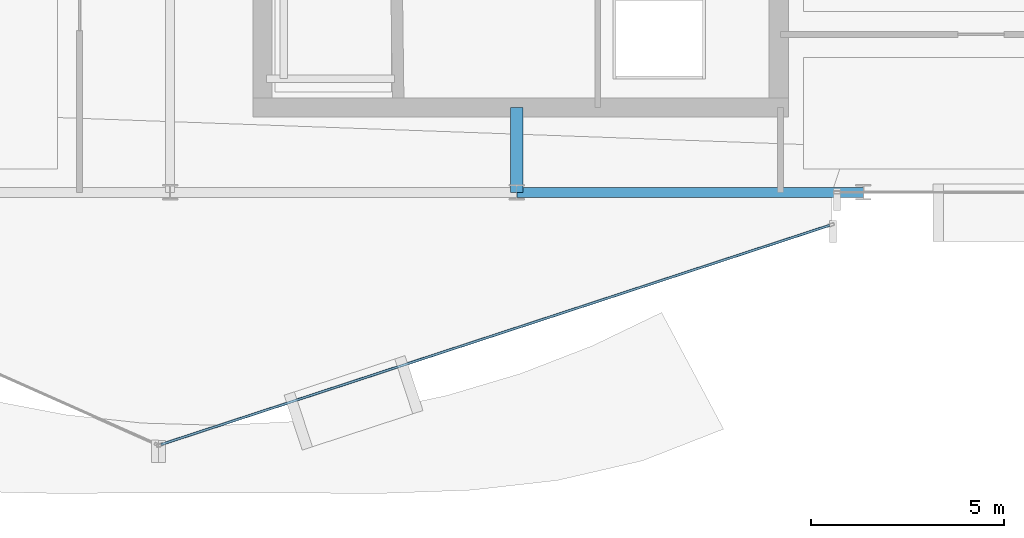
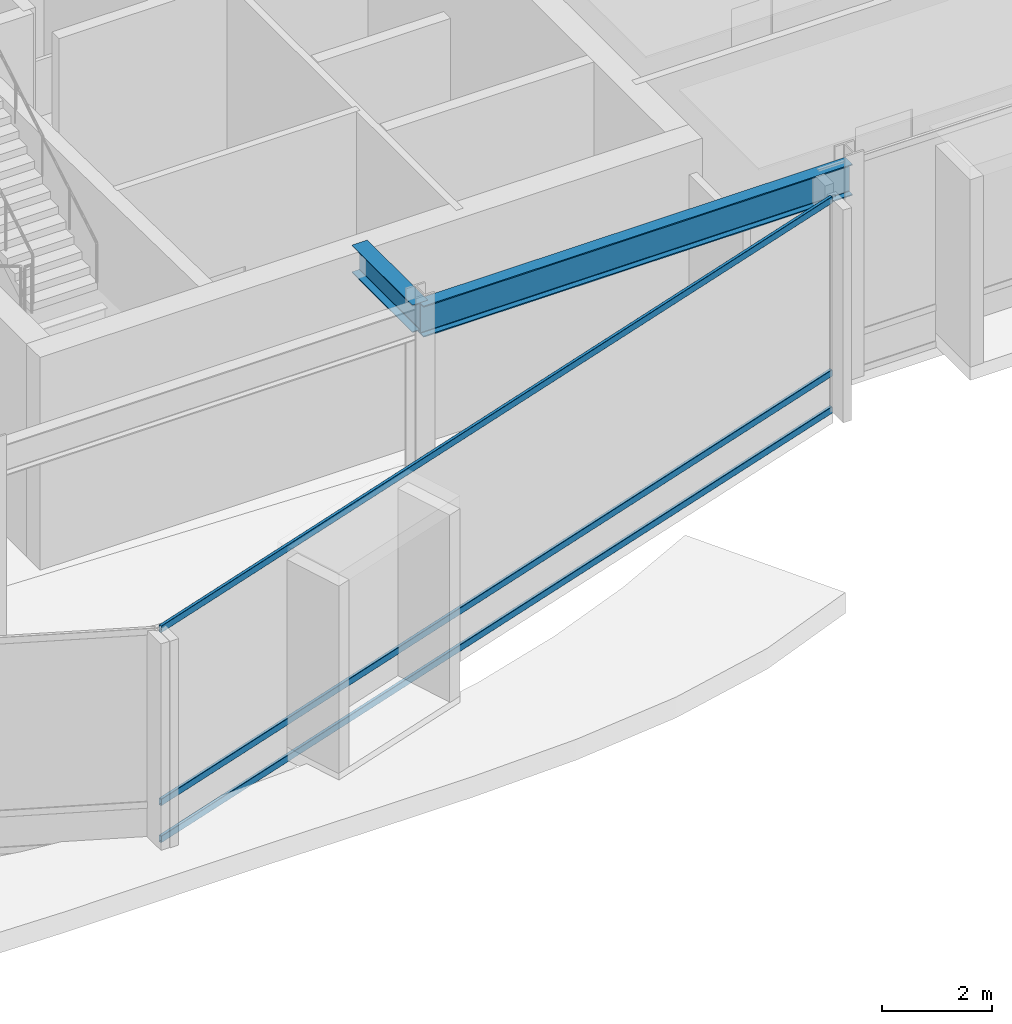
# One storey, part 9 of 28: 3 members, 2 beams, 1 element without a shape of its own.
"""IFC4 building model written with IfcOpenShell, lengths in metres."""

from ifc_helpers import new_model, si_unit, direction, frame, origin, origin_2d, place, context, subcontext, project, spatial, hollow_rectangle, i_section, extrude, material, layer, layer_set, material_profile, profile_set, type_object, element, aggregate, save


model = new_model("IFC4")

# Units and contexts
model_context = context("Model", 3, precision=1e-05, world=origin(), true_north=direction((0.0, 1.0)))
body_context = subcontext(model_context, "Body", "Model", "MODEL_VIEW")
ifc_project = project(units=[si_unit("LENGTHUNIT", "METRE"), si_unit("AREAUNIT", "SQUARE_METRE"), si_unit("VOLUMEUNIT", "CUBIC_METRE"), si_unit("PLANEANGLEUNIT", "RADIAN"), si_unit("MASSUNIT", "GRAM", prefix="KILO")], contexts=[model_context])

# Site, building, storey
site_placement = place(None, origin())
site = spatial("IfcSite", under=ifc_project, at=site_placement, CompositionType="ELEMENT")
building_placement = place(site_placement, origin())
building = spatial("IfcBuilding", under=site, at=building_placement, Name="Solvaryn Broadcast Tower", CompositionType="ELEMENT")
storey_placement = place(building_placement, frame((0.0, 0.0, 201.199951171875)))
storey = spatial("IfcBuildingStorey", under=building, at=storey_placement, Name="L50", CompositionType="ELEMENT", Elevation=201.199951171875)

# Beams
ifc_material_1 = material(Name="Steel ASTM A992 Grade 50", Category="steel")
ifc_material_profile_1 = material_profile(ifc_material_1, i_section(OverallWidth=0.323974609375, OverallDepth=0.611083984375, WebThickness=0.0126953125, FlangeThickness=0.01904296875, FilletRadius=0.014892578125, at=origin_2d()))
ifc_profile_set_1 = profile_set([ifc_material_profile_1], Name="Steel ASTM A992 Grade 50")
beam_type_1 = type_object("IfcBeamType", Name="BM-B1-W24X104", PredefinedType="BEAM", material=ifc_profile_set_1)
beam_1_placement = place(storey_placement, frame((36.0, 9.0, 4.41455078125), z_axis=(0.0, 1.0, 0.0), x_axis=(-1.0, 0.0, 0.0)))
element("IfcBeam", 1, at=beam_1_placement, inside=storey, type_object=beam_type_1, Name="L50 Core Tie Beam CTE1", PredefinedType="BEAM", context=body_context, shape_type="SweptSolid", body=[
    extrude(i_section(OverallWidth=0.323974609375, OverallDepth=0.611083984375, WebThickness=0.0126953125, FlangeThickness=0.01904296875, FilletRadius=0.014892578125, at=origin_2d()), origin(), (0.0, 0.0, 1.0), 2.199951171875),
])
ifc_material_2 = material(Name="Steel ASTM A992 Grade 50", Category="steel")
ifc_material_profile_2 = material_profile(ifc_material_2, i_section(OverallWidth=0.256103515625, OverallDepth=0.693115234375, WebThickness=0.014404296875, FlangeThickness=0.023681640625, FilletRadius=0.01611328125, at=origin_2d()))
ifc_profile_set_2 = profile_set([ifc_material_profile_2], Name="Steel ASTM A992 Grade 50")
beam_type_2 = type_object("IfcBeamType", Name="BM-SP3-W27X114", PredefinedType="USERDEFINED", material=ifc_profile_set_2)
beam_2_placement = place(storey_placement, frame((36.0, 9.0, 4.37353515625), z_axis=(1.0, 0.0, 0.0), x_axis=(0.0, 1.0, 0.0)))
element("IfcBeam", 2, at=beam_2_placement, inside=storey, type_object=beam_type_2, Name="L50 Spandrel Beam X (36-45 @ Y=9)", ObjectType="SPANDREL", PredefinedType="USERDEFINED", context=body_context, shape_type="SweptSolid", body=[
    extrude(i_section(OverallWidth=0.256103515625, OverallDepth=0.693115234375, WebThickness=0.014404296875, FlangeThickness=0.023681640625, FilletRadius=0.01611328125, at=origin_2d()), origin(), (0.0, 0.0, 1.0), 9.0),
])

# Curtain wall, members
ifc_material_3 = material(Name="Aluminium and Terracotta Unitised Curtain Wall", Category="masonry")
ifc_layer = layer(ifc_material_3, 0.199951171875)
ifc_layer_set = layer_set([ifc_layer], Name="CW-SYS2-LOWMID")
curtain_wall_type = type_object("IfcCurtainWallType", Name="CW-SYS2-LOWMID", PredefinedType="NOTDEFINED", material=ifc_layer_set)
curtain_wall_placement = place(storey_placement, origin())
curtain_wall = element("IfcCurtainWall", 3, at=curtain_wall_placement, inside=storey, type_object=curtain_wall_type, Name="L50 Curtain Wall DR4", PredefinedType="NOTDEFINED")
ifc_material_4 = material(Name="Anodised Aluminium 6063-T6", Category="aluminium")
ifc_material_profile_3 = material_profile(ifc_material_4, hollow_rectangle(XDim=0.06494140625, YDim=0.14990234375, WallThickness=0.00390625, InnerFilletRadius=0.00390625, OuterFilletRadius=0.008056640625, at=origin_2d()))
ifc_profile_set_3 = profile_set([ifc_material_profile_3], Name="Anodised Aluminium 6063-T6")
member_type = type_object("IfcMemberType", Name="CW-TRN-150", PredefinedType="USERDEFINED", material=ifc_profile_set_3)
member_1_placement = place(storey_placement, frame((26.762939453125, 2.45166015625, 0.030029296875), z_axis=(0.950227141586, 0.311557987209, 0.0), x_axis=(-0.311557987209, 0.950227141586, 0.0)))
member_1 = element("IfcMember", 4, at=member_1_placement, type_object=member_type, Name="CWS2 transom 1.1", ObjectType="TRANSOM", PredefinedType="USERDEFINED", context=body_context, shape_type="SweptSolid", body=[
    extrude(hollow_rectangle(XDim=0.06494140625, YDim=0.14990234375, WallThickness=0.00390625, InnerFilletRadius=0.00390625, OuterFilletRadius=0.008056640625, at=origin_2d()), origin(), (0.0, 0.0, 1.0), 18.271484375),
])
member_2_placement = place(storey_placement, frame((26.762939453125, 2.45166015625, 0.85009765625), z_axis=(0.950227141586, 0.311557987209, 0.0), x_axis=(-0.311557987209, 0.950227141586, 0.0)))
member_2 = element("IfcMember", 5, at=member_2_placement, type_object=member_type, Name="CWS2 transom 1.2", ObjectType="TRANSOM", PredefinedType="USERDEFINED", context=body_context, shape_type="SweptSolid", body=[
    extrude(hollow_rectangle(XDim=0.06494140625, YDim=0.14990234375, WallThickness=0.00390625, InnerFilletRadius=0.00390625, OuterFilletRadius=0.008056640625, at=origin_2d()), origin(), (0.0, 0.0, 1.0), 18.271484375),
])
member_3_placement = place(storey_placement, frame((26.762939453125, 2.45166015625, 4.68994140625), z_axis=(0.950227141586, 0.311557987209, 0.0), x_axis=(-0.311557987209, 0.950227141586, 0.0)))
member_3 = element("IfcMember", 6, at=member_3_placement, type_object=member_type, Name="CWS2 transom 1.3", ObjectType="TRANSOM", PredefinedType="USERDEFINED", context=body_context, shape_type="SweptSolid", body=[
    extrude(hollow_rectangle(XDim=0.06494140625, YDim=0.14990234375, WallThickness=0.00390625, InnerFilletRadius=0.00390625, OuterFilletRadius=0.008056640625, at=origin_2d()), origin(), (0.0, 0.0, 1.0), 18.271484375),
])
aggregate(curtain_wall, [member_1, member_2, member_3])

save(model, "model.ifc")
